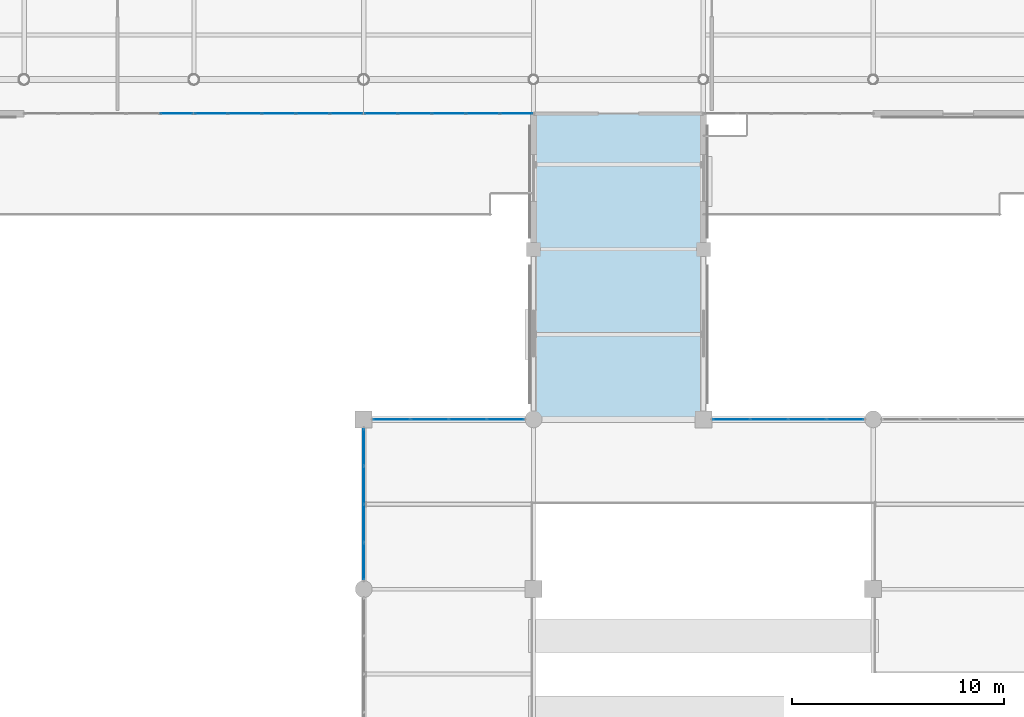
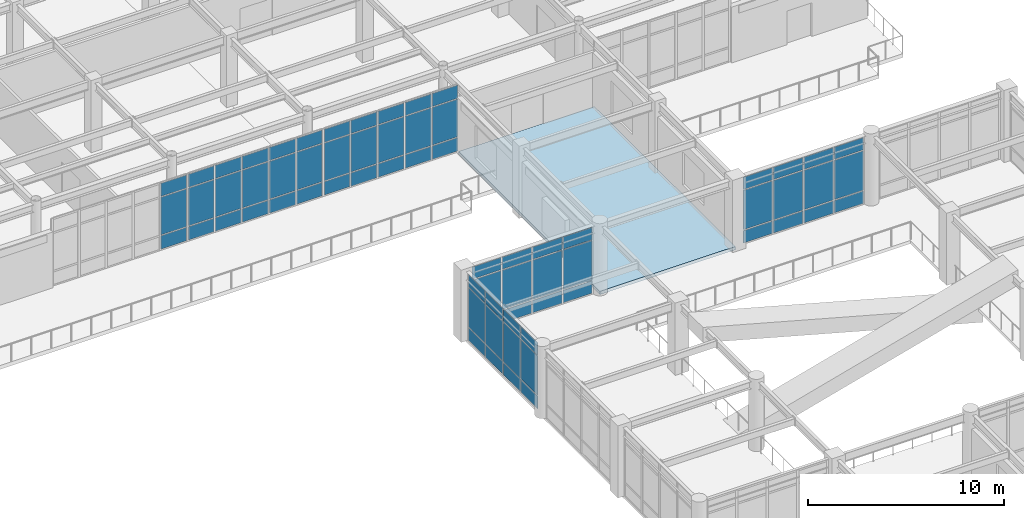
# One storey, part 54 of 93: 69 plates, 1 slab, 6 elements without a shape of their own.
"""IFC4 building model written with IfcOpenShell, lengths in metres."""

import ifcopenshell
import ifcopenshell.guid

model = None  # the IFC model being written
_history = None  # IfcOwnerHistory: only IFC2X3 demands one
_inside = {}  # id of a spatial element -> (the spatial element, [elements in it])
_under = {}  # id of a project, library or spatial element -> (it, [spatial elements below it])
_declared = {}  # id of a project -> (the project, [libraries it declares])
_typed = {}  # id of a type object -> (the type object, [elements of that type])
_made_of = {}  # id of a material, layer set ... -> (it, [elements and type objects made of it])


def new_model(schema):
    """Start an empty IFC model of exactly this schema.

    Asked for "IFC4X3", IfcOpenShell would pick the latest addendum, in which some entities
    have other attributes; the version numbers below select the first issue.
    IFC2X3 requires an IfcOwnerHistory on every rooted entity: one is made here for all.
    """
    global model, _history
    if schema == "IFC4X3":
        model = ifcopenshell.file(schema_version=(4, 3, 0, 0))
    else:
        model = ifcopenshell.file(schema=schema)
    _inside.clear()
    _under.clear()
    _declared.clear()
    _typed.clear()
    _made_of.clear()
    _history = None
    if model.schema == "IFC2X3":
        org = make("IfcOrganization", Name="unknown")
        user = make(
            "IfcPersonAndOrganization",
            ThePerson=make("IfcPerson", FamilyName="unknown"),
            TheOrganization=org,
        )
        app = make(
            "IfcApplication",
            ApplicationDeveloper=org,
            Version="unknown",
            ApplicationFullName="unknown",
            ApplicationIdentifier="unknown",
        )
        _history = make(
            "IfcOwnerHistory",
            OwningUser=user,
            OwningApplication=app,
            ChangeAction="ADDED",
            CreationDate=0,
        )
    return model


def make(cls, **values):
    """One entity of the class cls with the attributes given. An attribute that is None is left unset."""
    return model.create_entity(
        cls, **{name: value for name, value in values.items() if value is not None}
    )


def rooted(cls, **values):
    """An entity with a GlobalId (a new one), such as an element, a storey or a relation."""
    return make(cls, GlobalId=ifcopenshell.guid.new(), OwnerHistory=_history, **values)


def si_unit(unit_type, name, prefix=None):
    """IfcSIUnit, for example si_unit("LENGTHUNIT", "METRE", prefix="MILLI")."""
    return make("IfcSIUnit", UnitType=unit_type, Prefix=prefix, Name=name)


def assignment(units):
    """IfcUnitAssignment: the units of a project."""
    return None if units is None else make("IfcUnitAssignment", Units=units)


def point(xyz):
    """IfcCartesianPoint."""
    return None if xyz is None else make("IfcCartesianPoint", Coordinates=xyz)


def direction(xyz):
    """IfcDirection."""
    return None if xyz is None else make("IfcDirection", DirectionRatios=xyz)


def frame(location, z_axis=None, x_axis=None):
    """IfcAxis2Placement3D, a coordinate frame: its origin and axes. An axis left out is left unset."""
    return make(
        "IfcAxis2Placement3D",
        Location=point(location),
        Axis=direction(z_axis),
        RefDirection=direction(x_axis),
    )


def frame_2d(location, x_axis=None):
    """IfcAxis2Placement2D, a coordinate frame in the plane: its origin and x axis."""
    return make(
        "IfcAxis2Placement2D", Location=point(location), RefDirection=direction(x_axis)
    )


def origin():
    """The frame at (0, 0, 0) with its axes left unset."""
    return frame((0.0, 0.0, 0.0))


def origin_2d():
    """The frame at (0, 0) in the plane with its x axis left unset."""
    return frame_2d((0.0, 0.0))


def place(relative_to, where):
    """IfcLocalPlacement: puts the frame where relative to a parent placement (None: the world)."""
    return make(
        "IfcLocalPlacement", PlacementRelTo=relative_to, RelativePlacement=where
    )


def context(
    kind, dimensions, precision=None, world=None, true_north=None, identifier=None
):
    """IfcGeometricRepresentationContext, for example the 3D "Model" context."""
    return make(
        "IfcGeometricRepresentationContext",
        ContextIdentifier=identifier,
        ContextType=kind,
        CoordinateSpaceDimension=dimensions,
        Precision=precision,
        WorldCoordinateSystem=world,
        TrueNorth=true_north,
    )


def subcontext(parent, identifier, kind, view, scale=None):
    """IfcGeometricRepresentationSubContext, for example "Body" below "Model"."""
    return make(
        "IfcGeometricRepresentationSubContext",
        ContextIdentifier=identifier,
        ContextType=kind,
        ParentContext=parent,
        TargetScale=scale,
        TargetView=view,
    )


def project(units=None, contexts=None):
    """IfcProject with its units and contexts."""
    return rooted(
        "IfcProject",
        Name="project",
        RepresentationContexts=contexts,
        UnitsInContext=assignment(units),
    )


def spatial(cls, under=None, at=None, **own):
    """A site, building, storey or space (cls), placed at a placement, below another one or the project."""
    s = rooted(cls, ObjectPlacement=at, **own)
    if under is not None:
        _under.setdefault(under.id(), (under, []))[1].append(s)
    return s


def polyline(points):
    """IfcPolyline through the points."""
    return make("IfcPolyline", Points=[point(p) for p in points])


def profile(cls, at=None, kind="AREA", **sizes):
    """A parametric profile (cls). Its sizes go by their IFC names, for example OverallWidth=200.0."""
    return make(cls, ProfileType=kind, Position=at, **sizes)


def rectangle(**sizes):
    """IfcRectangleProfileDef."""
    return profile("IfcRectangleProfileDef", **sizes)


def outline(outer, holes=None, kind="AREA"):
    """IfcArbitraryClosedProfileDef: a profile drawn as a closed curve; with holes, ...WithVoids."""
    if holes is None:
        return make("IfcArbitraryClosedProfileDef", ProfileType=kind, OuterCurve=outer)
    return make(
        "IfcArbitraryProfileDefWithVoids",
        ProfileType=kind,
        OuterCurve=outer,
        InnerCurves=holes,
    )


def extrude(swept, where, along, depth):
    """IfcExtrudedAreaSolid: the profile swept, set in the frame where, extruded along a direction by depth."""
    return make(
        "IfcExtrudedAreaSolid",
        SweptArea=swept,
        Position=where,
        ExtrudedDirection=direction(along),
        Depth=depth,
    )


def shape(context_of_items, identifier, shape_type, items):
    """IfcShapeRepresentation: the items that make up one representation, for example the "Body"."""
    return make(
        "IfcShapeRepresentation",
        ContextOfItems=context_of_items,
        RepresentationIdentifier=identifier,
        RepresentationType=shape_type,
        Items=items,
    )


def material(Name=None, Category=None):
    """IfcMaterial."""
    return make("IfcMaterial", Name=Name, Category=Category)


def layer(
    of_material, thickness, ventilated=None, Name=None, Category=None, Priority=None
):
    """IfcMaterialLayer: one layer of a wall or slab, of a material (None: an air gap)."""
    return make(
        "IfcMaterialLayer",
        Material=of_material,
        LayerThickness=thickness,
        IsVentilated=ventilated,
        Name=Name,
        Category=Category,
        Priority=Priority,
    )


def layer_set(layers, Name=None):
    """IfcMaterialLayerSet."""
    return make("IfcMaterialLayerSet", MaterialLayers=layers, LayerSetName=Name)


def made_of(thing, what):
    """Note that an element or type object is made of a material, layer set ...; save() writes the relation."""
    if what is not None:
        _made_of.setdefault(what.id(), (what, []))[1].append(thing)
    return thing


def type_object(cls, material=None, **own):
    """A type object (cls), such as IfcWallType, which elements share."""
    return made_of(rooted(cls, **own), material)


def element(
    cls,
    number,
    at=None,
    inside=None,
    cuts=None,
    type_object=None,
    material=None,
    context=None,
    identifier="Body",
    shape_type=None,
    held_by="IfcProductDefinitionShape",
    body=None,
    shapes=None,
    **own,
):
    """One element of the class cls, such as IfcWall. Its Tag is "e" and its number.

    at: its placement. inside: the storey or other place that contains it. cuts: it is an
    opening in that element (IfcRelVoidsElement). A single representation is given by context,
    identifier, shape_type and body (its items); several are given by shapes. held_by: the class
    of the entity that holds the representations. save() writes the other relations.
    """
    e = rooted(cls, Tag="e%d" % number, ObjectPlacement=at, **own)
    if body is not None:
        shapes = [shape(context, identifier, shape_type, body)]
    if shapes is not None:
        e.Representation = make(held_by, Representations=shapes)
    if inside is not None:
        _inside.setdefault(inside.id(), (inside, []))[1].append(e)
    if cuts is not None:
        rooted(
            "IfcRelVoidsElement", RelatingBuildingElement=cuts, RelatedOpeningElement=e
        )
    if type_object is not None:
        _typed.setdefault(type_object.id(), (type_object, []))[1].append(e)
    return made_of(e, material)


def aggregate(whole, parts):
    """IfcRelAggregates: a whole, such as a stair, and the parts it consists of."""
    return rooted("IfcRelAggregates", RelatingObject=whole, RelatedObjects=parts)


def save(model, path):
    """Write the relations noted so far, then the file.

    IfcRelAggregates (storeys below a building ...), IfcRelContainedInSpatialStructure (elements
    in a storey), IfcRelDefinesByType, IfcRelAssociatesMaterial and IfcRelDeclares: one each for
    every whole, place, type object, material and project.
    """
    for whole, parts in _under.values():
        aggregate(whole, parts)
    for where, things in _inside.values():
        rooted(
            "IfcRelContainedInSpatialStructure",
            RelatedElements=things,
            RelatingStructure=where,
        )
    for kind, things in _typed.values():
        rooted("IfcRelDefinesByType", RelatedObjects=things, RelatingType=kind)
    for what, things in _made_of.values():
        rooted("IfcRelAssociatesMaterial", RelatedObjects=things, RelatingMaterial=what)
    for by, libraries in _declared.values():
        rooted("IfcRelDeclares", RelatingContext=by, RelatedDefinitions=libraries)
    model.write(path)


model = new_model("IFC4")

# Units and contexts
model_context = context("Model", 3, precision=1e-05, world=origin(), true_north=direction((0.0, 1.0)))
body_context = subcontext(model_context, "Body", "Model", "MODEL_VIEW")
ifc_project = project(units=[si_unit("LENGTHUNIT", "METRE"), si_unit("AREAUNIT", "SQUARE_METRE"), si_unit("VOLUMEUNIT", "CUBIC_METRE"), si_unit("PLANEANGLEUNIT", "RADIAN"), si_unit("MASSUNIT", "GRAM", prefix="KILO")], contexts=[model_context])

# Site, building, storey
site_placement = place(None, origin())
site = spatial("IfcSite", under=ifc_project, at=site_placement, CompositionType="ELEMENT")
building_placement = place(site_placement, origin())
building = spatial("IfcBuilding", under=site, at=building_placement, Name="Solmirada Galleria", CompositionType="ELEMENT")
storey_placement = place(building_placement, frame((0.0, 0.0, 14.89990234375)))
storey = spatial("IfcBuildingStorey", under=building, at=storey_placement, Name="L03", CompositionType="ELEMENT", Elevation=14.89990234375)

# Curtain wall, plates
ifc_material_1 = material(Name="Impact-resistant low-E double glazing", Category="glass")
curtain_wall_type_1 = type_object("IfcCurtainWallType", Name="CW-FZ3-L03-B4-L072", PredefinedType="NOTDEFINED", material=ifc_material_1)
curtain_wall_1_placement = place(storey_placement, origin())
curtain_wall_1 = element("IfcCurtainWall", 1, at=curtain_wall_1_placement, inside=storey, type_object=curtain_wall_type_1, Name="Terrace and arcade storefront CW-L03-121", PredefinedType="NOTDEFINED")
ifc_layer_1 = layer(ifc_material_1, 0.028076171875)
ifc_layer_set_1 = layer_set([ifc_layer_1], Name="Impact-resistant low-E double glazing")
plate_type_1 = type_object("IfcPlateType", Name="CW-PNL-CW27-T28", PredefinedType="CURTAIN_PANEL", material=ifc_layer_set_1)
plate_1_placement = place(storey_placement, frame((80.0, 65.31640625, 0.06005859375), z_axis=(0.0, 0.0, 1.0), x_axis=(0.0, 1.0, 0.0)))
plate_1 = element("IfcPlate", 2, at=plate_1_placement, type_object=plate_type_1, Name="CW27 panel 1.1", PredefinedType="CURTAIN_PANEL", context=body_context, shape_type="SweptSolid", body=[
    extrude(rectangle(XDim=1.708984375, YDim=0.028076171875, at=origin_2d()), origin(), (0.0, 0.0, 1.0), 0.77001953125),
])
plate_2_placement = place(storey_placement, frame((80.0, 65.31640625, 0.89013671875), z_axis=(0.0, 0.0, 1.0), x_axis=(0.0, 1.0, 0.0)))
plate_2 = element("IfcPlate", 3, at=plate_2_placement, type_object=plate_type_1, Name="CW27 panel 1.2", PredefinedType="CURTAIN_PANEL", context=body_context, shape_type="SweptSolid", body=[
    extrude(rectangle(XDim=1.708984375, YDim=0.028076171875, at=origin_2d()), origin(), (0.0, 0.0, 1.0), 2.449951171875),
])
plate_3_placement = place(storey_placement, frame((80.0, 65.31640625, 3.39990234375), z_axis=(0.0, 0.0, 1.0), x_axis=(0.0, 1.0, 0.0)))
plate_3 = element("IfcPlate", 4, at=plate_3_placement, type_object=plate_type_1, Name="CW27 panel 1.3", PredefinedType="CURTAIN_PANEL", context=body_context, shape_type="SweptSolid", body=[
    extrude(rectangle(XDim=1.708984375, YDim=0.028076171875, at=origin_2d()), origin(), (0.0, 0.0, 1.0), 0.760009765625),
])
plate_4_placement = place(storey_placement, frame((80.0, 67.1005859375, 0.06005859375), z_axis=(0.0, 0.0, 1.0), x_axis=(0.0, 1.0, 0.0)))
plate_4 = element("IfcPlate", 5, at=plate_4_placement, type_object=plate_type_1, Name="CW27 panel 2.1", PredefinedType="CURTAIN_PANEL", context=body_context, shape_type="SweptSolid", body=[
    extrude(rectangle(XDim=1.739013671875, YDim=0.028076171875, at=origin_2d()), origin(), (0.0, 0.0, 1.0), 0.77001953125),
])
plate_5_placement = place(storey_placement, frame((80.0, 67.1005859375, 0.89013671875), z_axis=(0.0, 0.0, 1.0), x_axis=(0.0, 1.0, 0.0)))
plate_5 = element("IfcPlate", 6, at=plate_5_placement, type_object=plate_type_1, Name="CW27 panel 2.2", PredefinedType="CURTAIN_PANEL", context=body_context, shape_type="SweptSolid", body=[
    extrude(rectangle(XDim=1.739013671875, YDim=0.028076171875, at=origin_2d()), origin(), (0.0, 0.0, 1.0), 2.449951171875),
])
plate_6_placement = place(storey_placement, frame((80.0, 67.1005859375, 3.39990234375), z_axis=(0.0, 0.0, 1.0), x_axis=(0.0, 1.0, 0.0)))
plate_6 = element("IfcPlate", 7, at=plate_6_placement, type_object=plate_type_1, Name="CW27 panel 2.3", PredefinedType="CURTAIN_PANEL", context=body_context, shape_type="SweptSolid", body=[
    extrude(rectangle(XDim=1.739013671875, YDim=0.028076171875, at=origin_2d()), origin(), (0.0, 0.0, 1.0), 0.760009765625),
])
plate_7_placement = place(storey_placement, frame((80.0, 68.8994140625, 0.06005859375), z_axis=(0.0, 0.0, 1.0), x_axis=(0.0, 1.0, 0.0)))
plate_7 = element("IfcPlate", 8, at=plate_7_placement, type_object=plate_type_1, Name="CW27 panel 3.1", PredefinedType="CURTAIN_PANEL", context=body_context, shape_type="SweptSolid", body=[
    extrude(rectangle(XDim=1.739013671875, YDim=0.028076171875, at=origin_2d()), origin(), (0.0, 0.0, 1.0), 0.77001953125),
])
plate_8_placement = place(storey_placement, frame((80.0, 68.8994140625, 0.89013671875), z_axis=(0.0, 0.0, 1.0), x_axis=(0.0, 1.0, 0.0)))
plate_8 = element("IfcPlate", 9, at=plate_8_placement, type_object=plate_type_1, Name="CW27 panel 3.2", PredefinedType="CURTAIN_PANEL", context=body_context, shape_type="SweptSolid", body=[
    extrude(rectangle(XDim=1.739013671875, YDim=0.028076171875, at=origin_2d()), origin(), (0.0, 0.0, 1.0), 2.449951171875),
])
plate_9_placement = place(storey_placement, frame((80.0, 68.8994140625, 3.39990234375), z_axis=(0.0, 0.0, 1.0), x_axis=(0.0, 1.0, 0.0)))
plate_9 = element("IfcPlate", 10, at=plate_9_placement, type_object=plate_type_1, Name="CW27 panel 3.3", PredefinedType="CURTAIN_PANEL", context=body_context, shape_type="SweptSolid", body=[
    extrude(rectangle(XDim=1.739013671875, YDim=0.028076171875, at=origin_2d()), origin(), (0.0, 0.0, 1.0), 0.760009765625),
])
plate_10_placement = place(storey_placement, frame((80.0, 70.68359375, 0.06005859375), z_axis=(0.0, 0.0, 1.0), x_axis=(0.0, 1.0, 0.0)))
plate_10 = element("IfcPlate", 11, at=plate_10_placement, type_object=plate_type_1, Name="CW27 panel 4.1", PredefinedType="CURTAIN_PANEL", context=body_context, shape_type="SweptSolid", body=[
    extrude(rectangle(XDim=1.708984375, YDim=0.028076171875, at=origin_2d()), origin(), (0.0, 0.0, 1.0), 0.77001953125),
])
plate_11_placement = place(storey_placement, frame((80.0, 70.68359375, 0.89013671875), z_axis=(0.0, 0.0, 1.0), x_axis=(0.0, 1.0, 0.0)))
plate_11 = element("IfcPlate", 12, at=plate_11_placement, type_object=plate_type_1, Name="CW27 panel 4.2", PredefinedType="CURTAIN_PANEL", context=body_context, shape_type="SweptSolid", body=[
    extrude(rectangle(XDim=1.708984375, YDim=0.028076171875, at=origin_2d()), origin(), (0.0, 0.0, 1.0), 2.449951171875),
])
plate_12_placement = place(storey_placement, frame((80.0, 70.68359375, 3.39990234375), z_axis=(0.0, 0.0, 1.0), x_axis=(0.0, 1.0, 0.0)))
plate_12 = element("IfcPlate", 13, at=plate_12_placement, type_object=plate_type_1, Name="CW27 panel 4.3", PredefinedType="CURTAIN_PANEL", context=body_context, shape_type="SweptSolid", body=[
    extrude(rectangle(XDim=1.708984375, YDim=0.028076171875, at=origin_2d()), origin(), (0.0, 0.0, 1.0), 0.760009765625),
])
aggregate(curtain_wall_1, [plate_1, plate_2, plate_3, plate_4, plate_5, plate_6, plate_7, plate_8, plate_9, plate_10, plate_11, plate_12])

curtain_wall_2_placement = place(storey_placement, origin())
curtain_wall_2 = element("IfcCurtainWall", 14, at=curtain_wall_2_placement, inside=storey, type_object=curtain_wall_type_1, Name="Terrace and arcade storefront CW-L03-122", PredefinedType="NOTDEFINED")
plate_13_placement = place(storey_placement, frame((81.31640625, 72.0, 0.06005859375), z_axis=(0.0, 0.0, 1.0), x_axis=(1.0, 0.0, 0.0)))
plate_13 = element("IfcPlate", 15, at=plate_13_placement, type_object=plate_type_1, Name="CW27 panel 1.1", PredefinedType="CURTAIN_PANEL", context=body_context, shape_type="SweptSolid", body=[
    extrude(rectangle(XDim=1.708984375, YDim=0.028076171875, at=origin_2d()), origin(), (0.0, 0.0, 1.0), 0.77001953125),
])
plate_14_placement = place(storey_placement, frame((81.31640625, 72.0, 0.89013671875), z_axis=(0.0, 0.0, 1.0), x_axis=(1.0, 0.0, 0.0)))
plate_14 = element("IfcPlate", 16, at=plate_14_placement, type_object=plate_type_1, Name="CW27 panel 1.2", PredefinedType="CURTAIN_PANEL", context=body_context, shape_type="SweptSolid", body=[
    extrude(rectangle(XDim=1.708984375, YDim=0.028076171875, at=origin_2d()), origin(), (0.0, 0.0, 1.0), 2.449951171875),
])
plate_15_placement = place(storey_placement, frame((81.31640625, 72.0, 3.39990234375), z_axis=(0.0, 0.0, 1.0), x_axis=(1.0, 0.0, 0.0)))
plate_15 = element("IfcPlate", 17, at=plate_15_placement, type_object=plate_type_1, Name="CW27 panel 1.3", PredefinedType="CURTAIN_PANEL", context=body_context, shape_type="SweptSolid", body=[
    extrude(rectangle(XDim=1.708984375, YDim=0.028076171875, at=origin_2d()), origin(), (0.0, 0.0, 1.0), 0.760009765625),
])
plate_16_placement = place(storey_placement, frame((83.1005859375, 72.0, 0.06005859375), z_axis=(0.0, 0.0, 1.0), x_axis=(1.0, 0.0, 0.0)))
plate_16 = element("IfcPlate", 18, at=plate_16_placement, type_object=plate_type_1, Name="CW27 panel 2.1", PredefinedType="CURTAIN_PANEL", context=body_context, shape_type="SweptSolid", body=[
    extrude(rectangle(XDim=1.739013671875, YDim=0.028076171875, at=origin_2d()), origin(), (0.0, 0.0, 1.0), 0.77001953125),
])
plate_17_placement = place(storey_placement, frame((83.1005859375, 72.0, 0.89013671875), z_axis=(0.0, 0.0, 1.0), x_axis=(1.0, 0.0, 0.0)))
plate_17 = element("IfcPlate", 19, at=plate_17_placement, type_object=plate_type_1, Name="CW27 panel 2.2", PredefinedType="CURTAIN_PANEL", context=body_context, shape_type="SweptSolid", body=[
    extrude(rectangle(XDim=1.739013671875, YDim=0.028076171875, at=origin_2d()), origin(), (0.0, 0.0, 1.0), 2.449951171875),
])
plate_18_placement = place(storey_placement, frame((83.1005859375, 72.0, 3.39990234375), z_axis=(0.0, 0.0, 1.0), x_axis=(1.0, 0.0, 0.0)))
plate_18 = element("IfcPlate", 20, at=plate_18_placement, type_object=plate_type_1, Name="CW27 panel 2.3", PredefinedType="CURTAIN_PANEL", context=body_context, shape_type="SweptSolid", body=[
    extrude(rectangle(XDim=1.739013671875, YDim=0.028076171875, at=origin_2d()), origin(), (0.0, 0.0, 1.0), 0.760009765625),
])
plate_19_placement = place(storey_placement, frame((84.8994140625, 72.0, 0.06005859375), z_axis=(0.0, 0.0, 1.0), x_axis=(1.0, 0.0, 0.0)))
plate_19 = element("IfcPlate", 21, at=plate_19_placement, type_object=plate_type_1, Name="CW27 panel 3.1", PredefinedType="CURTAIN_PANEL", context=body_context, shape_type="SweptSolid", body=[
    extrude(rectangle(XDim=1.739013671875, YDim=0.028076171875, at=origin_2d()), origin(), (0.0, 0.0, 1.0), 0.77001953125),
])
plate_20_placement = place(storey_placement, frame((84.8994140625, 72.0, 0.89013671875), z_axis=(0.0, 0.0, 1.0), x_axis=(1.0, 0.0, 0.0)))
plate_20 = element("IfcPlate", 22, at=plate_20_placement, type_object=plate_type_1, Name="CW27 panel 3.2", PredefinedType="CURTAIN_PANEL", context=body_context, shape_type="SweptSolid", body=[
    extrude(rectangle(XDim=1.739013671875, YDim=0.028076171875, at=origin_2d()), origin(), (0.0, 0.0, 1.0), 2.449951171875),
])
plate_21_placement = place(storey_placement, frame((84.8994140625, 72.0, 3.39990234375), z_axis=(0.0, 0.0, 1.0), x_axis=(1.0, 0.0, 0.0)))
plate_21 = element("IfcPlate", 23, at=plate_21_placement, type_object=plate_type_1, Name="CW27 panel 3.3", PredefinedType="CURTAIN_PANEL", context=body_context, shape_type="SweptSolid", body=[
    extrude(rectangle(XDim=1.739013671875, YDim=0.028076171875, at=origin_2d()), origin(), (0.0, 0.0, 1.0), 0.760009765625),
])
plate_22_placement = place(storey_placement, frame((86.68359375, 72.0, 0.06005859375), z_axis=(0.0, 0.0, 1.0), x_axis=(1.0, 0.0, 0.0)))
plate_22 = element("IfcPlate", 24, at=plate_22_placement, type_object=plate_type_1, Name="CW27 panel 4.1", PredefinedType="CURTAIN_PANEL", context=body_context, shape_type="SweptSolid", body=[
    extrude(rectangle(XDim=1.708984375, YDim=0.028076171875, at=origin_2d()), origin(), (0.0, 0.0, 1.0), 0.77001953125),
])
plate_23_placement = place(storey_placement, frame((86.68359375, 72.0, 0.89013671875), z_axis=(0.0, 0.0, 1.0), x_axis=(1.0, 0.0, 0.0)))
plate_23 = element("IfcPlate", 25, at=plate_23_placement, type_object=plate_type_1, Name="CW27 panel 4.2", PredefinedType="CURTAIN_PANEL", context=body_context, shape_type="SweptSolid", body=[
    extrude(rectangle(XDim=1.708984375, YDim=0.028076171875, at=origin_2d()), origin(), (0.0, 0.0, 1.0), 2.449951171875),
])
plate_24_placement = place(storey_placement, frame((86.68359375, 72.0, 3.39990234375), z_axis=(0.0, 0.0, 1.0), x_axis=(1.0, 0.0, 0.0)))
plate_24 = element("IfcPlate", 26, at=plate_24_placement, type_object=plate_type_1, Name="CW27 panel 4.3", PredefinedType="CURTAIN_PANEL", context=body_context, shape_type="SweptSolid", body=[
    extrude(rectangle(XDim=1.708984375, YDim=0.028076171875, at=origin_2d()), origin(), (0.0, 0.0, 1.0), 0.760009765625),
])
aggregate(curtain_wall_2, [plate_13, plate_14, plate_15, plate_16, plate_17, plate_18, plate_19, plate_20, plate_21, plate_22, plate_23, plate_24])

curtain_wall_3_placement = place(storey_placement, origin())
curtain_wall_3 = element("IfcCurtainWall", 27, at=curtain_wall_3_placement, inside=storey, type_object=curtain_wall_type_1, Name="Terrace and arcade storefront CW-L03-129", PredefinedType="NOTDEFINED")
plate_25_placement = place(storey_placement, frame((97.31640625, 72.0, 0.06005859375), z_axis=(0.0, 0.0, 1.0), x_axis=(1.0, 0.0, 0.0)))
plate_25 = element("IfcPlate", 28, at=plate_25_placement, type_object=plate_type_1, Name="CW27 panel 1.1", PredefinedType="CURTAIN_PANEL", context=body_context, shape_type="SweptSolid", body=[
    extrude(rectangle(XDim=1.708984375, YDim=0.028076171875, at=origin_2d()), origin(), (0.0, 0.0, 1.0), 0.77001953125),
])
plate_26_placement = place(storey_placement, frame((97.31640625, 72.0, 0.89013671875), z_axis=(0.0, 0.0, 1.0), x_axis=(1.0, 0.0, 0.0)))
plate_26 = element("IfcPlate", 29, at=plate_26_placement, type_object=plate_type_1, Name="CW27 panel 1.2", PredefinedType="CURTAIN_PANEL", context=body_context, shape_type="SweptSolid", body=[
    extrude(rectangle(XDim=1.708984375, YDim=0.028076171875, at=origin_2d()), origin(), (0.0, 0.0, 1.0), 2.449951171875),
])
plate_27_placement = place(storey_placement, frame((97.31640625, 72.0, 3.39990234375), z_axis=(0.0, 0.0, 1.0), x_axis=(1.0, 0.0, 0.0)))
plate_27 = element("IfcPlate", 30, at=plate_27_placement, type_object=plate_type_1, Name="CW27 panel 1.3", PredefinedType="CURTAIN_PANEL", context=body_context, shape_type="SweptSolid", body=[
    extrude(rectangle(XDim=1.708984375, YDim=0.028076171875, at=origin_2d()), origin(), (0.0, 0.0, 1.0), 0.760009765625),
])
plate_28_placement = place(storey_placement, frame((99.1005859375, 72.0, 0.06005859375), z_axis=(0.0, 0.0, 1.0), x_axis=(1.0, 0.0, 0.0)))
plate_28 = element("IfcPlate", 31, at=plate_28_placement, type_object=plate_type_1, Name="CW27 panel 2.1", PredefinedType="CURTAIN_PANEL", context=body_context, shape_type="SweptSolid", body=[
    extrude(rectangle(XDim=1.739013671875, YDim=0.028076171875, at=origin_2d()), origin(), (0.0, 0.0, 1.0), 0.77001953125),
])
plate_29_placement = place(storey_placement, frame((99.1005859375, 72.0, 0.89013671875), z_axis=(0.0, 0.0, 1.0), x_axis=(1.0, 0.0, 0.0)))
plate_29 = element("IfcPlate", 32, at=plate_29_placement, type_object=plate_type_1, Name="CW27 panel 2.2", PredefinedType="CURTAIN_PANEL", context=body_context, shape_type="SweptSolid", body=[
    extrude(rectangle(XDim=1.739013671875, YDim=0.028076171875, at=origin_2d()), origin(), (0.0, 0.0, 1.0), 2.449951171875),
])
plate_30_placement = place(storey_placement, frame((99.1005859375, 72.0, 3.39990234375), z_axis=(0.0, 0.0, 1.0), x_axis=(1.0, 0.0, 0.0)))
plate_30 = element("IfcPlate", 33, at=plate_30_placement, type_object=plate_type_1, Name="CW27 panel 2.3", PredefinedType="CURTAIN_PANEL", context=body_context, shape_type="SweptSolid", body=[
    extrude(rectangle(XDim=1.739013671875, YDim=0.028076171875, at=origin_2d()), origin(), (0.0, 0.0, 1.0), 0.760009765625),
])
plate_31_placement = place(storey_placement, frame((100.8994140625, 72.0, 0.06005859375), z_axis=(0.0, 0.0, 1.0), x_axis=(1.0, 0.0, 0.0)))
plate_31 = element("IfcPlate", 34, at=plate_31_placement, type_object=plate_type_1, Name="CW27 panel 3.1", PredefinedType="CURTAIN_PANEL", context=body_context, shape_type="SweptSolid", body=[
    extrude(rectangle(XDim=1.739013671875, YDim=0.028076171875, at=origin_2d()), origin(), (0.0, 0.0, 1.0), 0.77001953125),
])
plate_32_placement = place(storey_placement, frame((100.8994140625, 72.0, 0.89013671875), z_axis=(0.0, 0.0, 1.0), x_axis=(1.0, 0.0, 0.0)))
plate_32 = element("IfcPlate", 35, at=plate_32_placement, type_object=plate_type_1, Name="CW27 panel 3.2", PredefinedType="CURTAIN_PANEL", context=body_context, shape_type="SweptSolid", body=[
    extrude(rectangle(XDim=1.739013671875, YDim=0.028076171875, at=origin_2d()), origin(), (0.0, 0.0, 1.0), 2.449951171875),
])
plate_33_placement = place(storey_placement, frame((100.8994140625, 72.0, 3.39990234375), z_axis=(0.0, 0.0, 1.0), x_axis=(1.0, 0.0, 0.0)))
plate_33 = element("IfcPlate", 36, at=plate_33_placement, type_object=plate_type_1, Name="CW27 panel 3.3", PredefinedType="CURTAIN_PANEL", context=body_context, shape_type="SweptSolid", body=[
    extrude(rectangle(XDim=1.739013671875, YDim=0.028076171875, at=origin_2d()), origin(), (0.0, 0.0, 1.0), 0.760009765625),
])
plate_34_placement = place(storey_placement, frame((102.68359375, 72.0, 0.06005859375), z_axis=(0.0, 0.0, 1.0), x_axis=(1.0, 0.0, 0.0)))
plate_34 = element("IfcPlate", 37, at=plate_34_placement, type_object=plate_type_1, Name="CW27 panel 4.1", PredefinedType="CURTAIN_PANEL", context=body_context, shape_type="SweptSolid", body=[
    extrude(rectangle(XDim=1.708984375, YDim=0.028076171875, at=origin_2d()), origin(), (0.0, 0.0, 1.0), 0.77001953125),
])
plate_35_placement = place(storey_placement, frame((102.68359375, 72.0, 0.89013671875), z_axis=(0.0, 0.0, 1.0), x_axis=(1.0, 0.0, 0.0)))
plate_35 = element("IfcPlate", 38, at=plate_35_placement, type_object=plate_type_1, Name="CW27 panel 4.2", PredefinedType="CURTAIN_PANEL", context=body_context, shape_type="SweptSolid", body=[
    extrude(rectangle(XDim=1.708984375, YDim=0.028076171875, at=origin_2d()), origin(), (0.0, 0.0, 1.0), 2.449951171875),
])
plate_36_placement = place(storey_placement, frame((102.68359375, 72.0, 3.39990234375), z_axis=(0.0, 0.0, 1.0), x_axis=(1.0, 0.0, 0.0)))
plate_36 = element("IfcPlate", 39, at=plate_36_placement, type_object=plate_type_1, Name="CW27 panel 4.3", PredefinedType="CURTAIN_PANEL", context=body_context, shape_type="SweptSolid", body=[
    extrude(rectangle(XDim=1.708984375, YDim=0.028076171875, at=origin_2d()), origin(), (0.0, 0.0, 1.0), 0.760009765625),
])
aggregate(curtain_wall_3, [plate_25, plate_26, plate_27, plate_28, plate_29, plate_30, plate_31, plate_32, plate_33, plate_34, plate_35, plate_36])

curtain_wall_type_2 = type_object("IfcCurtainWallType", Name="CW-FZ4-L03-B5-L080", PredefinedType="NOTDEFINED", material=ifc_material_1)
curtain_wall_4_placement = place(storey_placement, origin())
curtain_wall_4 = element("IfcCurtainWall", 40, at=curtain_wall_4_placement, inside=storey, type_object=curtain_wall_type_2, Name="Terrace and arcade storefront CW-L03-123", PredefinedType="NOTDEFINED")
ifc_material_2 = material(Name="Ceramic-fritted spandrel glass", Category="glass")
ifc_layer_2 = layer(ifc_material_2, 0.035888671875)
ifc_layer_set_2 = layer_set([ifc_layer_2], Name="Ceramic-fritted spandrel glass")
plate_type_2 = type_object("IfcPlateType", Name="CW-PNL-CW28-T36", PredefinedType="CURTAIN_PANEL", material=ifc_layer_set_2)
plate_37_placement = place(storey_placement, frame((87.18505859375, 86.39990234375, 0.06005859375), z_axis=(0.0, 0.0, 1.0), x_axis=(-1.0, 0.0, 0.0)))
plate_37 = element("IfcPlate", 41, at=plate_37_placement, type_object=plate_type_2, Name="CW28 panel 1.1", PredefinedType="CURTAIN_PANEL", context=body_context, shape_type="SweptSolid", body=[
    extrude(rectangle(XDim=1.510009765625, YDim=0.035888671875, at=origin_2d()), origin(), (0.0, 0.0, 1.0), 0.830078125),
])
plate_38_placement = place(storey_placement, frame((87.18505859375, 86.39990234375, 0.9501953125), z_axis=(0.0, 0.0, 1.0), x_axis=(-1.0, 0.0, 0.0)))
plate_38 = element("IfcPlate", 42, at=plate_38_placement, type_object=plate_type_2, Name="CW28 panel 1.2", PredefinedType="CURTAIN_PANEL", context=body_context, shape_type="SweptSolid", body=[
    extrude(rectangle(XDim=1.510009765625, YDim=0.035888671875, at=origin_2d()), origin(), (0.0, 0.0, 1.0), 2.340087890625),
])
plate_39_placement = place(storey_placement, frame((87.18505859375, 86.39990234375, 3.35009765625), z_axis=(0.0, 0.0, 1.0), x_axis=(-1.0, 0.0, 0.0)))
plate_39 = element("IfcPlate", 43, at=plate_39_placement, type_object=plate_type_2, Name="CW28 panel 1.3", PredefinedType="CURTAIN_PANEL", context=body_context, shape_type="SweptSolid", body=[
    extrude(rectangle(XDim=1.510009765625, YDim=0.035888671875, at=origin_2d()), origin(), (0.0, 0.0, 1.0), 0.81005859375),
])
plate_40_placement = place(storey_placement, frame((85.60009765625, 86.39990234375, 0.06005859375), z_axis=(0.0, 0.0, 1.0), x_axis=(-1.0, 0.0, 0.0)))
plate_40 = element("IfcPlate", 44, at=plate_40_placement, type_object=plate_type_2, Name="CW28 panel 2.1", PredefinedType="CURTAIN_PANEL", context=body_context, shape_type="SweptSolid", body=[
    extrude(rectangle(XDim=1.5400390625, YDim=0.035888671875, at=origin_2d()), origin(), (0.0, 0.0, 1.0), 0.830078125),
])
plate_41_placement = place(storey_placement, frame((85.60009765625, 86.39990234375, 0.9501953125), z_axis=(0.0, 0.0, 1.0), x_axis=(-1.0, 0.0, 0.0)))
plate_41 = element("IfcPlate", 45, at=plate_41_placement, type_object=plate_type_2, Name="CW28 panel 2.2", PredefinedType="CURTAIN_PANEL", context=body_context, shape_type="SweptSolid", body=[
    extrude(rectangle(XDim=1.5400390625, YDim=0.035888671875, at=origin_2d()), origin(), (0.0, 0.0, 1.0), 2.340087890625),
])
plate_42_placement = place(storey_placement, frame((85.60009765625, 86.39990234375, 3.35009765625), z_axis=(0.0, 0.0, 1.0), x_axis=(-1.0, 0.0, 0.0)))
plate_42 = element("IfcPlate", 46, at=plate_42_placement, type_object=plate_type_2, Name="CW28 panel 2.3", PredefinedType="CURTAIN_PANEL", context=body_context, shape_type="SweptSolid", body=[
    extrude(rectangle(XDim=1.5400390625, YDim=0.035888671875, at=origin_2d()), origin(), (0.0, 0.0, 1.0), 0.81005859375),
])
plate_43_placement = place(storey_placement, frame((84.0, 86.39990234375, 0.06005859375), z_axis=(0.0, 0.0, 1.0), x_axis=(-1.0, 0.0, 0.0)))
plate_43 = element("IfcPlate", 47, at=plate_43_placement, type_object=plate_type_2, Name="CW28 panel 3.1", PredefinedType="CURTAIN_PANEL", context=body_context, shape_type="SweptSolid", body=[
    extrude(rectangle(XDim=1.5400390625, YDim=0.035888671875, at=origin_2d()), origin(), (0.0, 0.0, 1.0), 0.830078125),
])
plate_44_placement = place(storey_placement, frame((84.0, 86.39990234375, 0.9501953125), z_axis=(0.0, 0.0, 1.0), x_axis=(-1.0, 0.0, 0.0)))
plate_44 = element("IfcPlate", 48, at=plate_44_placement, type_object=plate_type_2, Name="CW28 panel 3.2", PredefinedType="CURTAIN_PANEL", context=body_context, shape_type="SweptSolid", body=[
    extrude(rectangle(XDim=1.5400390625, YDim=0.035888671875, at=origin_2d()), origin(), (0.0, 0.0, 1.0), 2.340087890625),
])
plate_45_placement = place(storey_placement, frame((84.0, 86.39990234375, 3.35009765625), z_axis=(0.0, 0.0, 1.0), x_axis=(-1.0, 0.0, 0.0)))
plate_45 = element("IfcPlate", 49, at=plate_45_placement, type_object=plate_type_2, Name="CW28 panel 3.3", PredefinedType="CURTAIN_PANEL", context=body_context, shape_type="SweptSolid", body=[
    extrude(rectangle(XDim=1.5400390625, YDim=0.035888671875, at=origin_2d()), origin(), (0.0, 0.0, 1.0), 0.81005859375),
])
plate_46_placement = place(storey_placement, frame((82.39990234375, 86.39990234375, 0.06005859375), z_axis=(0.0, 0.0, 1.0), x_axis=(-1.0, 0.0, 0.0)))
plate_46 = element("IfcPlate", 50, at=plate_46_placement, type_object=plate_type_2, Name="CW28 panel 4.1", PredefinedType="CURTAIN_PANEL", context=body_context, shape_type="SweptSolid", body=[
    extrude(rectangle(XDim=1.5400390625, YDim=0.035888671875, at=origin_2d()), origin(), (0.0, 0.0, 1.0), 0.830078125),
])
plate_47_placement = place(storey_placement, frame((82.39990234375, 86.39990234375, 0.9501953125), z_axis=(0.0, 0.0, 1.0), x_axis=(-1.0, 0.0, 0.0)))
plate_47 = element("IfcPlate", 51, at=plate_47_placement, type_object=plate_type_2, Name="CW28 panel 4.2", PredefinedType="CURTAIN_PANEL", context=body_context, shape_type="SweptSolid", body=[
    extrude(rectangle(XDim=1.5400390625, YDim=0.035888671875, at=origin_2d()), origin(), (0.0, 0.0, 1.0), 2.340087890625),
])
plate_48_placement = place(storey_placement, frame((82.39990234375, 86.39990234375, 3.35009765625), z_axis=(0.0, 0.0, 1.0), x_axis=(-1.0, 0.0, 0.0)))
plate_48 = element("IfcPlate", 52, at=plate_48_placement, type_object=plate_type_2, Name="CW28 panel 4.3", PredefinedType="CURTAIN_PANEL", context=body_context, shape_type="SweptSolid", body=[
    extrude(rectangle(XDim=1.5400390625, YDim=0.035888671875, at=origin_2d()), origin(), (0.0, 0.0, 1.0), 0.81005859375),
])
plate_49_placement = place(storey_placement, frame((80.81494140625, 86.39990234375, 0.06005859375), z_axis=(0.0, 0.0, 1.0), x_axis=(-1.0, 0.0, 0.0)))
plate_49 = element("IfcPlate", 53, at=plate_49_placement, type_object=plate_type_2, Name="CW28 panel 5.1", PredefinedType="CURTAIN_PANEL", context=body_context, shape_type="SweptSolid", body=[
    extrude(rectangle(XDim=1.510009765625, YDim=0.035888671875, at=origin_2d()), origin(), (0.0, 0.0, 1.0), 0.830078125),
])
plate_50_placement = place(storey_placement, frame((80.81494140625, 86.39990234375, 0.9501953125), z_axis=(0.0, 0.0, 1.0), x_axis=(-1.0, 0.0, 0.0)))
plate_50 = element("IfcPlate", 54, at=plate_50_placement, type_object=plate_type_2, Name="CW28 panel 5.2", PredefinedType="CURTAIN_PANEL", context=body_context, shape_type="SweptSolid", body=[
    extrude(rectangle(XDim=1.510009765625, YDim=0.035888671875, at=origin_2d()), origin(), (0.0, 0.0, 1.0), 2.340087890625),
])
plate_51_placement = place(storey_placement, frame((80.81494140625, 86.39990234375, 3.35009765625), z_axis=(0.0, 0.0, 1.0), x_axis=(-1.0, 0.0, 0.0)))
plate_51 = element("IfcPlate", 55, at=plate_51_placement, type_object=plate_type_2, Name="CW28 panel 5.3", PredefinedType="CURTAIN_PANEL", context=body_context, shape_type="SweptSolid", body=[
    extrude(rectangle(XDim=1.510009765625, YDim=0.035888671875, at=origin_2d()), origin(), (0.0, 0.0, 1.0), 0.81005859375),
])
aggregate(curtain_wall_4, [plate_37, plate_38, plate_39, plate_40, plate_41, plate_42, plate_43, plate_44, plate_45, plate_46, plate_47, plate_48, plate_49, plate_50, plate_51])

curtain_wall_5_placement = place(storey_placement, origin())
curtain_wall_5 = element("IfcCurtainWall", 56, at=curtain_wall_5_placement, inside=storey, type_object=curtain_wall_type_2, Name="Terrace and arcade storefront CW-L03-124", PredefinedType="NOTDEFINED")
plate_52_placement = place(storey_placement, frame((79.18505859375, 86.39990234375, 0.06005859375), z_axis=(0.0, 0.0, 1.0), x_axis=(-1.0, 0.0, 0.0)))
plate_52 = element("IfcPlate", 57, at=plate_52_placement, type_object=plate_type_2, Name="CW28 panel 1.1", PredefinedType="CURTAIN_PANEL", context=body_context, shape_type="SweptSolid", body=[
    extrude(rectangle(XDim=1.510009765625, YDim=0.035888671875, at=origin_2d()), origin(), (0.0, 0.0, 1.0), 0.830078125),
])
plate_53_placement = place(storey_placement, frame((79.18505859375, 86.39990234375, 0.9501953125), z_axis=(0.0, 0.0, 1.0), x_axis=(-1.0, 0.0, 0.0)))
plate_53 = element("IfcPlate", 58, at=plate_53_placement, type_object=plate_type_2, Name="CW28 panel 1.2", PredefinedType="CURTAIN_PANEL", context=body_context, shape_type="SweptSolid", body=[
    extrude(rectangle(XDim=1.510009765625, YDim=0.035888671875, at=origin_2d()), origin(), (0.0, 0.0, 1.0), 2.340087890625),
])
plate_54_placement = place(storey_placement, frame((79.18505859375, 86.39990234375, 3.35009765625), z_axis=(0.0, 0.0, 1.0), x_axis=(-1.0, 0.0, 0.0)))
plate_54 = element("IfcPlate", 59, at=plate_54_placement, type_object=plate_type_2, Name="CW28 panel 1.3", PredefinedType="CURTAIN_PANEL", context=body_context, shape_type="SweptSolid", body=[
    extrude(rectangle(XDim=1.510009765625, YDim=0.035888671875, at=origin_2d()), origin(), (0.0, 0.0, 1.0), 0.81005859375),
])
plate_55_placement = place(storey_placement, frame((77.60009765625, 86.39990234375, 0.06005859375), z_axis=(0.0, 0.0, 1.0), x_axis=(-1.0, 0.0, 0.0)))
plate_55 = element("IfcPlate", 60, at=plate_55_placement, type_object=plate_type_2, Name="CW28 panel 2.1", PredefinedType="CURTAIN_PANEL", context=body_context, shape_type="SweptSolid", body=[
    extrude(rectangle(XDim=1.5400390625, YDim=0.035888671875, at=origin_2d()), origin(), (0.0, 0.0, 1.0), 0.830078125),
])
plate_56_placement = place(storey_placement, frame((77.60009765625, 86.39990234375, 0.9501953125), z_axis=(0.0, 0.0, 1.0), x_axis=(-1.0, 0.0, 0.0)))
plate_56 = element("IfcPlate", 61, at=plate_56_placement, type_object=plate_type_2, Name="CW28 panel 2.2", PredefinedType="CURTAIN_PANEL", context=body_context, shape_type="SweptSolid", body=[
    extrude(rectangle(XDim=1.5400390625, YDim=0.035888671875, at=origin_2d()), origin(), (0.0, 0.0, 1.0), 2.340087890625),
])
plate_57_placement = place(storey_placement, frame((77.60009765625, 86.39990234375, 3.35009765625), z_axis=(0.0, 0.0, 1.0), x_axis=(-1.0, 0.0, 0.0)))
plate_57 = element("IfcPlate", 62, at=plate_57_placement, type_object=plate_type_2, Name="CW28 panel 2.3", PredefinedType="CURTAIN_PANEL", context=body_context, shape_type="SweptSolid", body=[
    extrude(rectangle(XDim=1.5400390625, YDim=0.035888671875, at=origin_2d()), origin(), (0.0, 0.0, 1.0), 0.81005859375),
])
plate_58_placement = place(storey_placement, frame((76.0, 86.39990234375, 0.06005859375), z_axis=(0.0, 0.0, 1.0), x_axis=(-1.0, 0.0, 0.0)))
plate_58 = element("IfcPlate", 63, at=plate_58_placement, type_object=plate_type_2, Name="CW28 panel 3.1", PredefinedType="CURTAIN_PANEL", context=body_context, shape_type="SweptSolid", body=[
    extrude(rectangle(XDim=1.5400390625, YDim=0.035888671875, at=origin_2d()), origin(), (0.0, 0.0, 1.0), 0.830078125),
])
plate_59_placement = place(storey_placement, frame((76.0, 86.39990234375, 0.9501953125), z_axis=(0.0, 0.0, 1.0), x_axis=(-1.0, 0.0, 0.0)))
plate_59 = element("IfcPlate", 64, at=plate_59_placement, type_object=plate_type_2, Name="CW28 panel 3.2", PredefinedType="CURTAIN_PANEL", context=body_context, shape_type="SweptSolid", body=[
    extrude(rectangle(XDim=1.5400390625, YDim=0.035888671875, at=origin_2d()), origin(), (0.0, 0.0, 1.0), 2.340087890625),
])
plate_60_placement = place(storey_placement, frame((76.0, 86.39990234375, 3.35009765625), z_axis=(0.0, 0.0, 1.0), x_axis=(-1.0, 0.0, 0.0)))
plate_60 = element("IfcPlate", 65, at=plate_60_placement, type_object=plate_type_2, Name="CW28 panel 3.3", PredefinedType="CURTAIN_PANEL", context=body_context, shape_type="SweptSolid", body=[
    extrude(rectangle(XDim=1.5400390625, YDim=0.035888671875, at=origin_2d()), origin(), (0.0, 0.0, 1.0), 0.81005859375),
])
plate_61_placement = place(storey_placement, frame((74.39990234375, 86.39990234375, 0.06005859375), z_axis=(0.0, 0.0, 1.0), x_axis=(-1.0, 0.0, 0.0)))
plate_61 = element("IfcPlate", 66, at=plate_61_placement, type_object=plate_type_2, Name="CW28 panel 4.1", PredefinedType="CURTAIN_PANEL", context=body_context, shape_type="SweptSolid", body=[
    extrude(rectangle(XDim=1.5400390625, YDim=0.035888671875, at=origin_2d()), origin(), (0.0, 0.0, 1.0), 0.830078125),
])
plate_62_placement = place(storey_placement, frame((74.39990234375, 86.39990234375, 0.9501953125), z_axis=(0.0, 0.0, 1.0), x_axis=(-1.0, 0.0, 0.0)))
plate_62 = element("IfcPlate", 67, at=plate_62_placement, type_object=plate_type_2, Name="CW28 panel 4.2", PredefinedType="CURTAIN_PANEL", context=body_context, shape_type="SweptSolid", body=[
    extrude(rectangle(XDim=1.5400390625, YDim=0.035888671875, at=origin_2d()), origin(), (0.0, 0.0, 1.0), 2.340087890625),
])
plate_63_placement = place(storey_placement, frame((74.39990234375, 86.39990234375, 3.35009765625), z_axis=(0.0, 0.0, 1.0), x_axis=(-1.0, 0.0, 0.0)))
plate_63 = element("IfcPlate", 68, at=plate_63_placement, type_object=plate_type_2, Name="CW28 panel 4.3", PredefinedType="CURTAIN_PANEL", context=body_context, shape_type="SweptSolid", body=[
    extrude(rectangle(XDim=1.5400390625, YDim=0.035888671875, at=origin_2d()), origin(), (0.0, 0.0, 1.0), 0.81005859375),
])
plate_64_placement = place(storey_placement, frame((72.81494140625, 86.39990234375, 0.06005859375), z_axis=(0.0, 0.0, 1.0), x_axis=(-1.0, 0.0, 0.0)))
plate_64 = element("IfcPlate", 69, at=plate_64_placement, type_object=plate_type_2, Name="CW28 panel 5.1", PredefinedType="CURTAIN_PANEL", context=body_context, shape_type="SweptSolid", body=[
    extrude(rectangle(XDim=1.510009765625, YDim=0.035888671875, at=origin_2d()), origin(), (0.0, 0.0, 1.0), 0.830078125),
])
plate_65_placement = place(storey_placement, frame((72.81494140625, 86.39990234375, 0.9501953125), z_axis=(0.0, 0.0, 1.0), x_axis=(-1.0, 0.0, 0.0)))
plate_65 = element("IfcPlate", 70, at=plate_65_placement, type_object=plate_type_2, Name="CW28 panel 5.2", PredefinedType="CURTAIN_PANEL", context=body_context, shape_type="SweptSolid", body=[
    extrude(rectangle(XDim=1.510009765625, YDim=0.035888671875, at=origin_2d()), origin(), (0.0, 0.0, 1.0), 2.340087890625),
])
plate_66_placement = place(storey_placement, frame((72.81494140625, 86.39990234375, 3.35009765625), z_axis=(0.0, 0.0, 1.0), x_axis=(-1.0, 0.0, 0.0)))
plate_66 = element("IfcPlate", 71, at=plate_66_placement, type_object=plate_type_2, Name="CW28 panel 5.3", PredefinedType="CURTAIN_PANEL", context=body_context, shape_type="SweptSolid", body=[
    extrude(rectangle(XDim=1.510009765625, YDim=0.035888671875, at=origin_2d()), origin(), (0.0, 0.0, 1.0), 0.81005859375),
])
aggregate(curtain_wall_5, [plate_52, plate_53, plate_54, plate_55, plate_56, plate_57, plate_58, plate_59, plate_60, plate_61, plate_62, plate_63, plate_64, plate_65, plate_66])

curtain_wall_6_placement = place(storey_placement, origin())
curtain_wall_6 = element("IfcCurtainWall", 72, at=curtain_wall_6_placement, inside=storey, type_object=curtain_wall_type_2, Name="Terrace and arcade storefront CW-L03-125", PredefinedType="NOTDEFINED")
plate_67_placement = place(storey_placement, frame((71.18505859375, 86.39990234375, 0.06005859375), z_axis=(0.0, 0.0, 1.0), x_axis=(-1.0, 0.0, 0.0)))
plate_67 = element("IfcPlate", 73, at=plate_67_placement, type_object=plate_type_2, Name="CW28 panel 1.1", PredefinedType="CURTAIN_PANEL", context=body_context, shape_type="SweptSolid", body=[
    extrude(rectangle(XDim=1.510009765625, YDim=0.035888671875, at=origin_2d()), origin(), (0.0, 0.0, 1.0), 0.830078125),
])
plate_68_placement = place(storey_placement, frame((71.18505859375, 86.39990234375, 0.9501953125), z_axis=(0.0, 0.0, 1.0), x_axis=(-1.0, 0.0, 0.0)))
plate_68 = element("IfcPlate", 74, at=plate_68_placement, type_object=plate_type_2, Name="CW28 panel 1.2", PredefinedType="CURTAIN_PANEL", context=body_context, shape_type="SweptSolid", body=[
    extrude(rectangle(XDim=1.510009765625, YDim=0.035888671875, at=origin_2d()), origin(), (0.0, 0.0, 1.0), 2.340087890625),
])
plate_69_placement = place(storey_placement, frame((71.18505859375, 86.39990234375, 3.35009765625), z_axis=(0.0, 0.0, 1.0), x_axis=(-1.0, 0.0, 0.0)))
plate_69 = element("IfcPlate", 75, at=plate_69_placement, type_object=plate_type_2, Name="CW28 panel 1.3", PredefinedType="CURTAIN_PANEL", context=body_context, shape_type="SweptSolid", body=[
    extrude(rectangle(XDim=1.510009765625, YDim=0.035888671875, at=origin_2d()), origin(), (0.0, 0.0, 1.0), 0.81005859375),
])
aggregate(curtain_wall_6, [plate_67, plate_68, plate_69])

# Slab
ifc_material_3 = material(Name="Concrete C35/45", Category="concrete")
ifc_layer_3 = layer(ifc_material_3, 0.199951171875)
ifc_layer_set_3 = layer_set([ifc_layer_3], Name="Concrete C35/45")
slab_type = type_object("IfcSlabType", Name="SLB-FLOOR-200", PredefinedType="FLOOR", material=ifc_layer_set_3)
slab_placement = place(storey_placement, frame((0.0, 0.0, -0.199951171875)))
element("IfcSlab", 76, at=slab_placement, inside=storey, type_object=slab_type, Name="Slab L03-BRG-N", PredefinedType="FLOOR", context=body_context, shape_type="SweptSolid", body=[
    extrude(outline(polyline([(88.0, 72.0), (96.0, 72.0), (96.0, 86.39990234375), (88.0, 86.39990234375), (88.0, 72.0)])), origin(), (0.0, 0.0, 1.0), 0.199951171875),
])

save(model, "model.ifc")
